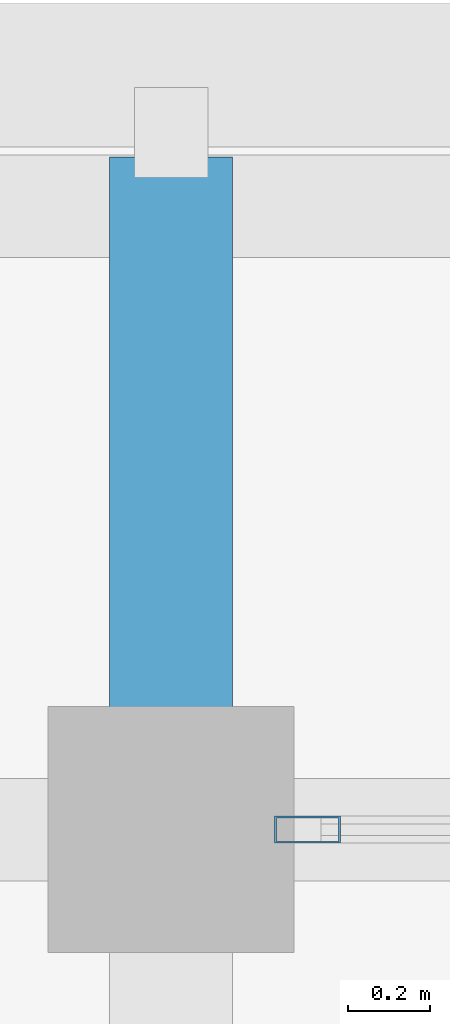
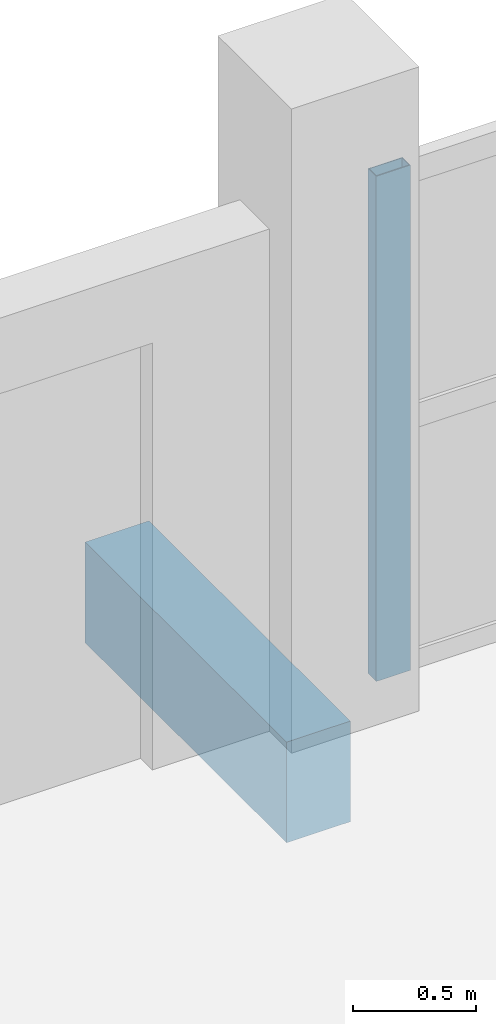
# One storey, part 9 of 56: 1 beam, 1 member, 1 element without a shape of its own.
"""IFC4 building model written with IfcOpenShell, lengths in metres."""

from ifc_helpers import new_model, si_unit, direction, frame, origin, origin_2d, place, context, subcontext, project, spatial, rectangle, hollow_rectangle, extrude, material, material_profile, profile_set, type_object, element, aggregate, save


model = new_model("IFC4")

# Units and contexts
model_context = context("Model", 3, precision=1e-05, world=origin(), true_north=direction((0.0, 1.0)))
body_context = subcontext(model_context, "Body", "Model", "MODEL_VIEW")
ifc_project = project(units=[si_unit("LENGTHUNIT", "METRE"), si_unit("AREAUNIT", "SQUARE_METRE"), si_unit("VOLUMEUNIT", "CUBIC_METRE"), si_unit("PLANEANGLEUNIT", "RADIAN"), si_unit("MASSUNIT", "GRAM", prefix="KILO")], contexts=[model_context])

# Site, building, storey
site_placement = place(None, origin())
site = spatial("IfcSite", under=ifc_project, at=site_placement, CompositionType="ELEMENT")
building_placement = place(site_placement, origin())
building = spatial("IfcBuilding", under=site, at=building_placement, Name="Suanplinth Sawtooth Commons", CompositionType="ELEMENT")
storey_placement = place(building_placement, frame((0.0, 0.0, 34.800048828125)))
storey = spatial("IfcBuildingStorey", under=building, at=storey_placement, Name="L10", CompositionType="ELEMENT", Elevation=34.800048828125)

# Beam
ifc_material_1 = material(Name="Precast concrete C40/50", Category="concrete")
ifc_material_profile_1 = material_profile(ifc_material_1, rectangle(XDim=0.300048828125, YDim=0.5, at=origin_2d()), Name="PC-BM 300x500")
ifc_profile_set_1 = profile_set([ifc_material_profile_1], Name="Precast concrete C40/50")
beam_type = type_object("IfcBeamType", Name="B-07", PredefinedType="BEAM", material=ifc_profile_set_1)
beam_placement = place(storey_placement, frame((57.60009765625, 122.39990234375, -0.429931640625), z_axis=(0.0, 1.0, 0.0), x_axis=(-1.0, 0.0, 0.0)))
element("IfcBeam", 1, at=beam_placement, inside=storey, type_object=beam_type, Name="Balcony Outrigger L10-A-N-8", PredefinedType="BEAM", context=body_context, shape_type="SweptSolid", body=[
    extrude(rectangle(XDim=0.300048828125, YDim=0.5, at=origin_2d()), origin(), (0.0, 0.0, 1.0), 1.64013671875),
])

# Curtain wall, member
ifc_material_2 = material(Name="Anodized aluminium and low-E glazing", Category="aluminium")
curtain_wall_type = type_object("IfcCurtainWallType", Name="CW-06", PredefinedType="USERDEFINED", material=ifc_material_2)
curtain_wall_placement = place(storey_placement, origin())
curtain_wall = element("IfcCurtainWall", 2, at=curtain_wall_placement, inside=storey, type_object=curtain_wall_type, Name="Curtain Wall CW-L10-A-LOUNGE-5", ObjectType="CURTAIN WALL", PredefinedType="USERDEFINED")
ifc_material_3 = material(Name="Anodized aluminium 6063-T6", Category="aluminium")
ifc_material_profile_2 = material_profile(ifc_material_3, hollow_rectangle(XDim=0.06494140625, YDim=0.159912109375, WallThickness=0.00390625, at=origin_2d()), Name="ALU-MUL 65x160")
ifc_profile_set_2 = profile_set([ifc_material_profile_2], Name="Anodized aluminium 6063-T6")
member_type = type_object("IfcMemberType", Name="M-13", PredefinedType="MULLION", material=ifc_profile_set_2)
member_placement = place(storey_placement, frame((57.9326171875, 122.39990234375, 0.0), z_axis=(0.0, 0.0, 1.0), x_axis=(0.0, 1.0, 0.0)))
member = element("IfcMember", 3, at=member_placement, type_object=member_type, Name="CW-06 mullion 1", PredefinedType="MULLION", context=body_context, shape_type="SweptSolid", body=[
    extrude(hollow_rectangle(XDim=0.06494140625, YDim=0.159912109375, WallThickness=0.00390625, at=origin_2d()), origin(), (0.0, 0.0, 1.0), 2.510009765625),
])
aggregate(curtain_wall, [member])

save(model, "model.ifc")
